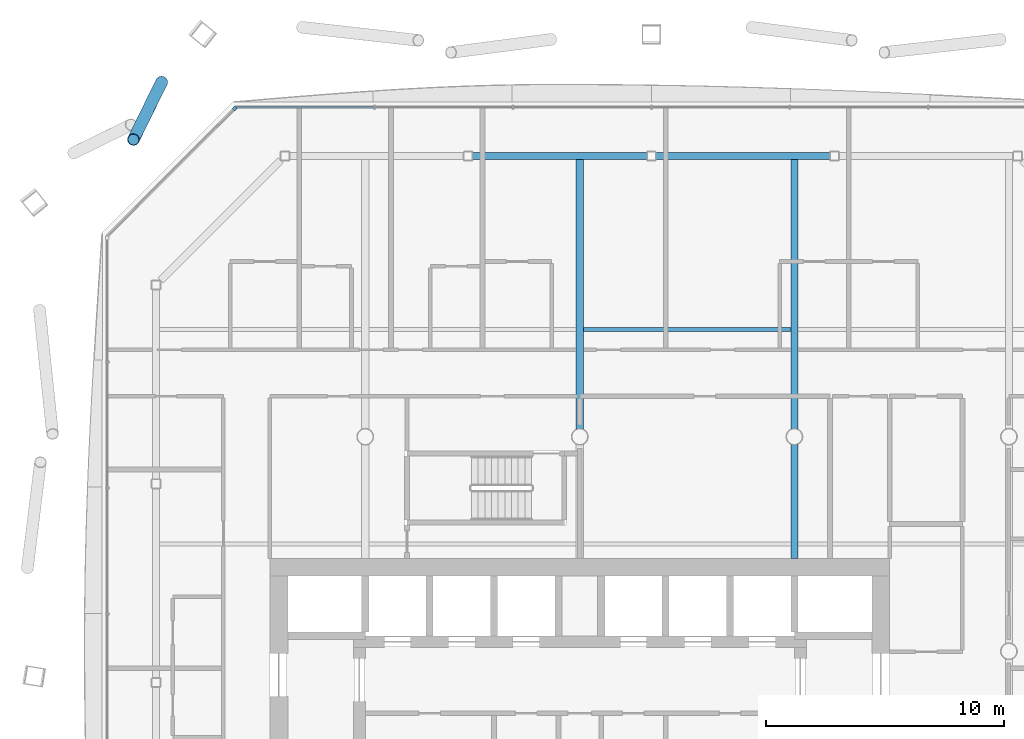
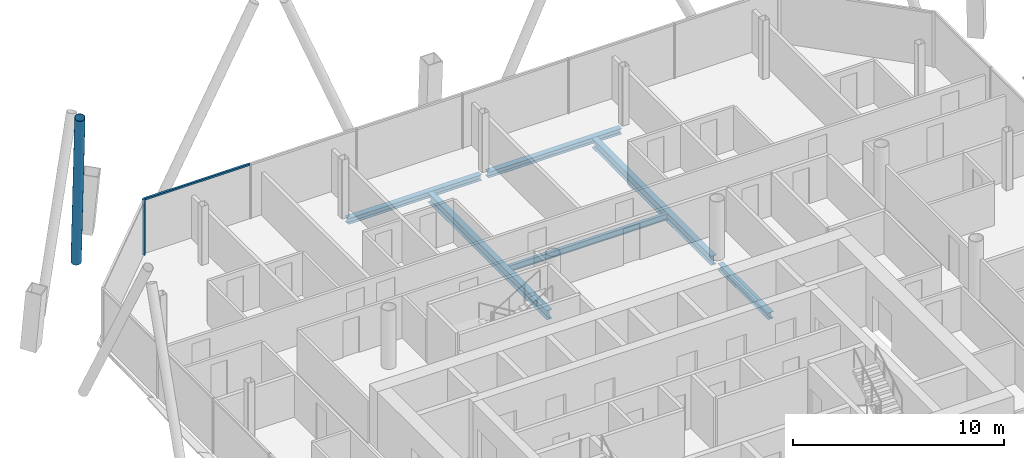
# One storey, part 10 of 23: 6 beams, 3 members, 2 elements without a shape of their own.
"""IFC4 building model written with IfcOpenShell, lengths in metres."""

from ifc_helpers import new_model, si_unit, direction, frame, origin, origin_2d, place, context, subcontext, project, spatial, rectangle, hollow_circle, i_section, extrude, material, material_profile, profile_set, type_object, element, aggregate, save


model = new_model("IFC4")

# Units and contexts
model_context = context("Model", 3, precision=1e-05, world=origin(), true_north=direction((0.0, 1.0)))
body_context = subcontext(model_context, "Body", "Model", "MODEL_VIEW")
ifc_project = project(units=[si_unit("LENGTHUNIT", "METRE"), si_unit("AREAUNIT", "SQUARE_METRE"), si_unit("VOLUMEUNIT", "CUBIC_METRE"), si_unit("PLANEANGLEUNIT", "RADIAN"), si_unit("MASSUNIT", "GRAM", prefix="KILO")], contexts=[model_context])

# Site, building, storey
site_placement = place(None, origin())
site = spatial("IfcSite", under=ifc_project, at=site_placement, CompositionType="ELEMENT")
building_placement = place(site_placement, origin())
building = spatial("IfcBuilding", under=site, at=building_placement, Name="Tskaro Facet Tower", CompositionType="ELEMENT")
storey_placement = place(building_placement, frame((0.0, 0.0, 131.699951171875)))
storey = spatial("IfcBuildingStorey", under=building, at=storey_placement, Name="L31", CompositionType="ELEMENT", Elevation=131.699951171875)

# Member
ifc_material_1 = material(Name="Steel S355J2H", Category="steel")
ifc_material_profile_1 = material_profile(ifc_material_1, hollow_circle(Radius=0.25390625, WallThickness=0.02490234375, at=origin_2d()), Name="CHS 508x25")
ifc_profile_set_1 = profile_set([ifc_material_profile_1], Name="Steel S355J2H")
member_type_1 = type_object("IfcMemberType", Name="CHS 508x25 brace", PredefinedType="BRACE", material=ifc_profile_set_1)
member_1_placement = place(storey_placement, frame((-17.54296875, 23.87548828125, 0.0), z_axis=(-0.112279891986, -0.228679722288, 0.967005072619), x_axis=(0.897638203211, -0.440733089451, 0.0)))
element("IfcMember", 1, at=member_1_placement, inside=storey, type_object=member_type_1, Name="CHS 508x25 XB09A/3", PredefinedType="BRACE", context=body_context, shape_type="SweptSolid", body=[
    extrude(hollow_circle(Radius=0.25390625, WallThickness=0.02490234375, at=origin_2d()), origin(), (0.0, 0.0, 1.0), 10.548095703125),
])

# Curtain wall, member
ifc_material_2 = material(Name="Bronze anodised aluminium 6063-T6", Category="aluminium")
curtain_wall_type = type_object("IfcCurtainWallType", Name="Bronze hotel curtain wall (FW2)", PredefinedType="NOTDEFINED", material=ifc_material_2)
curtain_wall_1_placement = place(storey_placement, origin())
curtain_wall_1 = element("IfcCurtainWall", 2, at=curtain_wall_1_placement, inside=storey, type_object=curtain_wall_type, Name="FW2 north-west facet L31", PredefinedType="NOTDEFINED")
ifc_material_profile_2 = material_profile(ifc_material_2, rectangle(XDim=0.14990234375, YDim=0.14990234375, at=origin_2d()), Name="Corner post 150x150")
ifc_profile_set_2 = profile_set([ifc_material_profile_2], Name="Bronze anodised aluminium 6063-T6")
member_type_2 = type_object("IfcMemberType", Name="FW2 bronze corner post 150x150", PredefinedType="MULLION", material=ifc_profile_set_2)
member_2_placement = place(storey_placement, frame((-14.47509765625, 22.766845703125, 0.0), z_axis=(0.0, 0.0, 1.0), x_axis=(-0.707106781187, -0.707106781187, 0.0)))
member_2 = element("IfcMember", 3, at=member_2_placement, type_object=member_type_2, Name="FW2 north-west corner post", PredefinedType="MULLION", context=body_context, shape_type="SweptSolid", body=[
    extrude(rectangle(XDim=0.14990234375, YDim=0.14990234375, at=origin_2d()), origin(), (0.0, 0.0, 1.0), 3.199951171875),
])
aggregate(curtain_wall_1, [member_2])

curtain_wall_2_placement = place(storey_placement, origin())
curtain_wall_2 = element("IfcCurtainWall", 4, at=curtain_wall_2_placement, inside=storey, type_object=curtain_wall_type, Name="FW2 north facet L31", PredefinedType="NOTDEFINED")
ifc_material_profile_3 = material_profile(ifc_material_2, rectangle(XDim=0.110107421875, YDim=0.10009765625, at=origin_2d()), Name="Transom 110x100")
ifc_profile_set_3 = profile_set([ifc_material_profile_3], Name="Bronze anodised aluminium 6063-T6")
member_type_3 = type_object("IfcMemberType", Name="FW2 bronze transom 110x100", PredefinedType="USERDEFINED", material=ifc_profile_set_3)
member_3_placement = place(storey_placement, frame((-8.644775390625, 22.820068359375, 3.150146484375), z_axis=(-1.0, 0.0, 0.0), x_axis=(0.0, -1.0, 0.0)))
member_3 = element("IfcMember", 5, at=member_3_placement, type_object=member_type_3, Name="FW2 north transom 6.1", ObjectType="TRANSOM", PredefinedType="USERDEFINED", context=body_context, shape_type="SweptSolid", body=[
    extrude(rectangle(XDim=0.110107421875, YDim=0.10009765625, at=origin_2d()), origin(), (0.0, 0.0, 1.0), 5.77734375),
])
aggregate(curtain_wall_2, [member_3])

# Beams
ifc_material_3 = material(Name="Steel S355J2", Category="steel")
ifc_material_profile_4 = material_profile(ifc_material_3, i_section(OverallWidth=0.300048828125, OverallDepth=0.340087890625, WebThickness=0.011962890625, FlangeThickness=0.021484375, FilletRadius=0.027099609375, at=origin_2d()), Name="HE 340 B")
ifc_profile_set_4 = profile_set([ifc_material_profile_4], Name="Steel S355J2")
beam_type_1 = type_object("IfcBeamType", Name="HE 340 B ring beam", PredefinedType="BEAM", material=ifc_profile_set_4)
for number, where, z_axis, x_axis, name in (
    (6, (10.50390625, 20.77392578125, -0.31005859375), (-1.0, 0.0, 0.0), (0.0, -1.0, 0.0), "HE 340 B EB12-3"),
    (7, (2.820068359375, 20.77392578125, -0.31005859375), (-1.0, 0.0, 0.0), (0.0, -1.0, 0.0), "HE 340 B EB13-3"),
):
    element("IfcBeam", number, at=place(storey_placement, frame(where, z_axis=z_axis, x_axis=x_axis)), inside=storey, type_object=beam_type_1, Name=name, PredefinedType="BEAM", context=body_context, shape_type="SweptSolid", body=[
        extrude(i_section(OverallWidth=0.300048828125, OverallDepth=0.340087890625, WebThickness=0.011962890625, FlangeThickness=0.021484375, FilletRadius=0.027099609375, at=origin_2d()), origin(), (0.0, 0.0, 1.0), 7.323974609375),
    ])
ifc_material_profile_5 = material_profile(ifc_material_3, i_section(OverallWidth=0.300048828125, OverallDepth=0.389892578125, WebThickness=0.010986328125, FlangeThickness=0.01904296875, FilletRadius=0.027099609375, at=origin_2d()), Name="HE 400 A")
ifc_profile_set_5 = profile_set([ifc_material_profile_5], Name="Steel S355J2")
beam_type_2 = type_object("IfcBeamType", Name="HE 400 A girder", PredefinedType="BEAM", material=ifc_profile_set_5)
beam_1_placement = place(storey_placement, frame((9.0, 3.89990234375, -0.3349609375), z_axis=(0.0, 1.0, 0.0), x_axis=(-1.0, 0.0, 0.0)))
element("IfcBeam", 8, at=beam_1_placement, inside=storey, type_object=beam_type_2, Name="HE 400 A GB5-2-3", PredefinedType="BEAM", context=body_context, shape_type="SweptSolid", body=[
    extrude(i_section(OverallWidth=0.300048828125, OverallDepth=0.389892578125, WebThickness=0.010986328125, FlangeThickness=0.01904296875, FilletRadius=0.027099609375, at=origin_2d()), origin(), (0.0, 0.0, 1.0), 4.774658203125),
])
ifc_material_profile_6 = material_profile(ifc_material_3, i_section(OverallWidth=0.300048828125, OverallDepth=0.5400390625, WebThickness=0.012451171875, FlangeThickness=0.02392578125, FilletRadius=0.027099609375, at=origin_2d()), Name="HE 550 A")
ifc_profile_set_6 = profile_set([ifc_material_profile_6], Name="Steel S355J2")
beam_type_3 = type_object("IfcBeamType", Name="HE 550 A long girder", PredefinedType="BEAM", material=ifc_profile_set_6)
for number, where, z_axis, x_axis, name in (
    (9, (0.0, 9.325439453125, -0.409912109375), (0.0, 1.0, 0.0), (-1.0, 0.0, 0.0), "HE 550 A LGB4-3-3"),
    (10, (9.0, 9.325439453125, -0.409912109375), (0.0, 1.0, 0.0), (-1.0, 0.0, 0.0), "HE 550 A LGB5-3-3"),
):
    element("IfcBeam", number, at=place(storey_placement, frame(where, z_axis=z_axis, x_axis=x_axis)), inside=storey, type_object=beam_type_3, Name=name, PredefinedType="BEAM", context=body_context, shape_type="SweptSolid", body=[
        extrude(i_section(OverallWidth=0.300048828125, OverallDepth=0.5400390625, WebThickness=0.012451171875, FlangeThickness=0.02392578125, FilletRadius=0.027099609375, at=origin_2d()), origin(), (0.0, 0.0, 1.0), 11.298583984375),
    ])
ifc_material_profile_7 = material_profile(ifc_material_3, i_section(OverallWidth=0.169921875, OverallDepth=0.360107421875, WebThickness=0.008056640625, FlangeThickness=0.0126953125, FilletRadius=0.01806640625, at=origin_2d()), Name="IPE 360")
ifc_profile_set_7 = profile_set([ifc_material_profile_7], Name="Steel S355J2")
beam_type_4 = type_object("IfcBeamType", Name="IPE 360 secondary beam", PredefinedType="BEAM", material=ifc_profile_set_7)
beam_2_placement = place(storey_placement, frame((0.14990234375, 13.5, -0.320068359375), z_axis=(1.0, 0.0, 0.0), x_axis=(0.0, 1.0, 0.0)))
element("IfcBeam", 11, at=beam_2_placement, inside=storey, type_object=beam_type_4, Name="IPE 360 SB5a-3-3", PredefinedType="BEAM", context=body_context, shape_type="SweptSolid", body=[
    extrude(i_section(OverallWidth=0.169921875, OverallDepth=0.360107421875, WebThickness=0.008056640625, FlangeThickness=0.0126953125, FilletRadius=0.01806640625, at=origin_2d()), origin(), (0.0, 0.0, 1.0), 8.7001953125),
])

save(model, "model.ifc")
